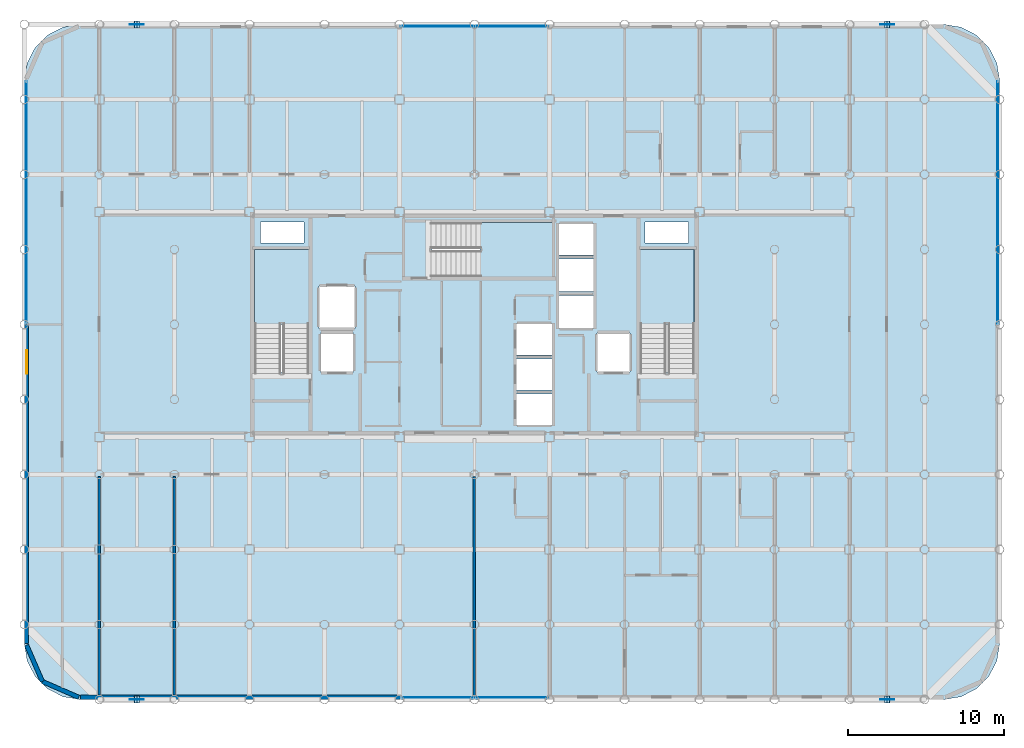
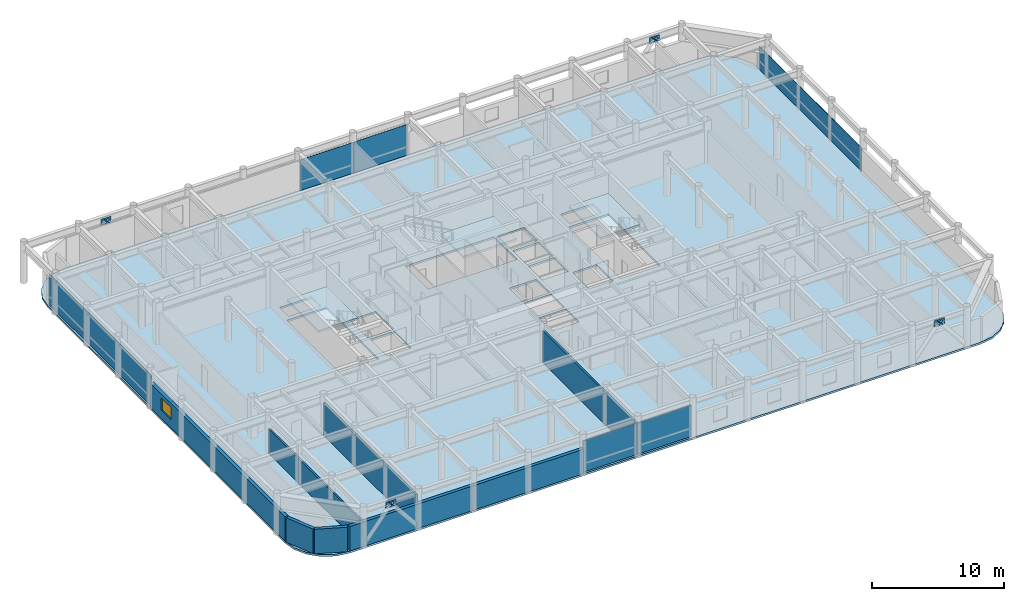
# One storey, part 16 of 21: 18 plates, 7 walls, 4 slabs, 1 window, 1 opening, 7 elements without a shape of their own.
"""IFC4 building model written with IfcOpenShell, lengths in metres."""

from ifc_helpers import new_model, si_unit, direction, frame, frame_2d, origin, origin_2d, place, context, subcontext, project, spatial, polyline, rectangle, outline, extrude, material, layer, layer_set, type_object, element, fill, aggregate, save


model = new_model("IFC4")

# Units and contexts
model_context = context("Model", 3, precision=1e-05, world=origin(), true_north=direction((0.0, 1.0)))
body_context = subcontext(model_context, "Body", "Model", "MODEL_VIEW")
ifc_project = project(units=[si_unit("LENGTHUNIT", "METRE"), si_unit("AREAUNIT", "SQUARE_METRE"), si_unit("VOLUMEUNIT", "CUBIC_METRE"), si_unit("PLANEANGLEUNIT", "RADIAN"), si_unit("MASSUNIT", "GRAM", prefix="KILO")], contexts=[model_context])

# Site, building, storey
site_placement = place(None, origin())
site = spatial("IfcSite", under=ifc_project, at=site_placement, CompositionType="ELEMENT")
building_placement = place(site_placement, origin())
building = spatial("IfcBuilding", under=site, at=building_placement, Name="Kallvorn Hotel Tower", CompositionType="ELEMENT")
storey_placement = place(building_placement, frame((0.0, 0.0, 210.75)))
storey = spatial("IfcBuildingStorey", under=building, at=storey_placement, Name="L52", CompositionType="ELEMENT", Elevation=210.75)

# Curtain wall, plates
ifc_material_1 = material(Name="Thermally broken black-anodised aluminium AA 6063-T6", Category="aluminium")
ifc_layer_1 = layer(ifc_material_1, 0.22998046875)
ifc_layer_set_1 = layer_set([ifc_layer_1], Name="CW_SYS_5_HOTEL_HIGH")
curtain_wall_type = type_object("IfcCurtainWallType", Name="CW_SYS_5_HOTEL_HIGH", PredefinedType="USERDEFINED", material=ifc_layer_set_1)
curtain_wall_1_placement = place(storey_placement, origin())
curtain_wall_1 = element("IfcCurtainWall", 1, at=curtain_wall_1_placement, inside=storey, type_object=curtain_wall_type, Name="L52 Dark-Glass Curtain Wall CW-L52-SC", ObjectType="UNITISED CURTAIN WALL", PredefinedType="USERDEFINED")
ifc_material_2 = material(Name="Triple-glazed low-e acoustic solar-control dark glass", Category="glass")
ifc_layer_2 = layer(ifc_material_2, 0.04150390625)
ifc_layer_set_2 = layer_set([ifc_layer_2], Name="CW_SYS_5_HOTEL_HIGH_PANEL")
plate_type_1 = type_object("IfcPlateType", Name="CW_SYS_5_HOTEL_HIGH_PANEL", PredefinedType="CURTAIN_PANEL", material=ifc_layer_set_2)
plate_1_placement = place(storey_placement, frame((-2.375, -23.8798828125, 0.06005859375), z_axis=(0.0, 0.0, 1.0), x_axis=(1.0, 0.0, 0.0)))
plate_1 = element("IfcPlate", 2, at=plate_1_placement, type_object=plate_type_1, Name="CW-L52-SC Vision Glass Panel 00", PredefinedType="CURTAIN_PANEL", context=body_context, shape_type="SweptSolid", body=[
    extrude(rectangle(XDim=4.68994140625, YDim=0.04150390625, at=origin_2d()), origin(), (0.0, 0.0, 1.0), 2.89990234375),
])
plate_2_placement = place(storey_placement, frame((2.375, -23.8798828125, 0.06005859375), z_axis=(0.0, 0.0, 1.0), x_axis=(1.0, 0.0, 0.0)))
plate_2 = element("IfcPlate", 3, at=plate_2_placement, type_object=plate_type_1, Name="CW-L52-SC Vision Glass Panel 01", PredefinedType="CURTAIN_PANEL", context=body_context, shape_type="SweptSolid", body=[
    extrude(rectangle(XDim=4.68994140625, YDim=0.04150390625, at=origin_2d()), origin(), (0.0, 0.0, 1.0), 2.89990234375),
])
aggregate(curtain_wall_1, [plate_1, plate_2])

curtain_wall_2_placement = place(storey_placement, origin())
curtain_wall_2 = element("IfcCurtainWall", 4, at=curtain_wall_2_placement, inside=storey, type_object=curtain_wall_type, Name="L52 Dark-Glass Curtain Wall CW-L52-NC", ObjectType="UNITISED CURTAIN WALL", PredefinedType="USERDEFINED")
plate_3_placement = place(storey_placement, frame((-2.375, 19.080078125, 0.06005859375), z_axis=(0.0, 0.0, 1.0), x_axis=(1.0, 0.0, 0.0)))
plate_3 = element("IfcPlate", 5, at=plate_3_placement, type_object=plate_type_1, Name="CW-L52-NC Vision Glass Panel 00", PredefinedType="CURTAIN_PANEL", context=body_context, shape_type="SweptSolid", body=[
    extrude(rectangle(XDim=4.68994140625, YDim=0.04150390625, at=origin_2d()), origin(), (0.0, 0.0, 1.0), 2.85009765625),
])
plate_4_placement = place(storey_placement, frame((2.375, 19.080078125, 0.06005859375), z_axis=(0.0, 0.0, 1.0), x_axis=(1.0, 0.0, 0.0)))
plate_4 = element("IfcPlate", 6, at=plate_4_placement, type_object=plate_type_1, Name="CW-L52-NC Vision Glass Panel 01", PredefinedType="CURTAIN_PANEL", context=body_context, shape_type="SweptSolid", body=[
    extrude(rectangle(XDim=4.68994140625, YDim=0.04150390625, at=origin_2d()), origin(), (0.0, 0.0, 1.0), 2.85009765625),
])
aggregate(curtain_wall_2, [plate_3, plate_4])

# Curtain wall, plate
curtain_wall_3_placement = place(storey_placement, origin())
curtain_wall_3 = element("IfcCurtainWall", 7, at=curtain_wall_3_placement, inside=storey, type_object=curtain_wall_type, Name="L52 Dark-Glass Curtain Wall CW-L52-WN", ObjectType="UNITISED CURTAIN WALL", PredefinedType="USERDEFINED")
plate_5_placement = place(storey_placement, frame((-28.679931640625, 7.81005859375, 0.06005859375), z_axis=(0.0, 0.0, 1.0), x_axis=(0.0, 1.0, 0.0)))
plate_5 = element("IfcPlate", 8, at=plate_5_placement, type_object=plate_type_1, Name="CW-L52-WN Vision Glass Panel 00", PredefinedType="CURTAIN_PANEL", context=body_context, shape_type="SweptSolid", body=[
    extrude(rectangle(XDim=15.52001953125, YDim=0.04150390625, at=origin_2d()), origin(), (0.0, 0.0, 1.0), 2.85009765625),
])
aggregate(curtain_wall_3, [plate_5])

curtain_wall_4_placement = place(storey_placement, origin())
curtain_wall_4 = element("IfcCurtainWall", 9, at=curtain_wall_4_placement, inside=storey, type_object=curtain_wall_type, Name="L52 Dark-Glass Curtain Wall CW-L52-EN", ObjectType="UNITISED CURTAIN WALL", PredefinedType="USERDEFINED")
plate_6_placement = place(storey_placement, frame((33.47998046875, 7.81005859375, 0.06005859375), z_axis=(0.0, 0.0, 1.0), x_axis=(0.0, 1.0, 0.0)))
plate_6 = element("IfcPlate", 10, at=plate_6_placement, type_object=plate_type_1, Name="CW-L52-EN Vision Glass Panel 00", PredefinedType="CURTAIN_PANEL", context=body_context, shape_type="SweptSolid", body=[
    extrude(rectangle(XDim=15.52001953125, YDim=0.04150390625, at=origin_2d()), origin(), (0.0, 0.0, 1.0), 2.14990234375),
])
aggregate(curtain_wall_4, [plate_6])

# Plates
ifc_material_3 = material(Name="Structural steel S355JR", Category="steel")
ifc_layer_3 = layer(ifc_material_3, 0.030029296875)
ifc_layer_set_3 = layer_set([ifc_layer_3], Name="PLT_CAP_30")
plate_type_2 = type_object("IfcPlateType", Name="PLT_CAP_30", PredefinedType="SHEET", material=ifc_layer_set_3)
for number, where, z_axis, x_axis, name in (
    (11, (-21.424072265625, -24.2177734375, 3.031005859375), (0.627697677331, 0.0, 0.778457208762), (0.0, 1.0, 0.0), "EXO-L52-S1A End Cap Plate B"),
    (12, (-21.77587890625, -23.7822265625, 3.031005859375), (-0.627697677331, 0.0, 0.778457208762), (0.0, -1.0, 0.0), "EXO-L52-S1B End Cap Plate B"),
    (13, (26.575927734375, -24.2177734375, 3.031005859375), (0.627697677331, 0.0, 0.778457208762), (0.0, 1.0, 0.0), "EXO-L52-S2A End Cap Plate B"),
    (14, (26.22412109375, -23.7822265625, 3.031005859375), (-0.627697677331, 0.0, 0.778457208762), (0.0, -1.0, 0.0), "EXO-L52-S2B End Cap Plate B"),
    (15, (-21.424072265625, 18.982177734375, 3.031005859375), (0.627697677331, 0.0, 0.778457208762), (0.0, 1.0, 0.0), "EXO-L52-N1A End Cap Plate B"),
    (16, (-21.77587890625, 19.417724609375, 3.031005859375), (-0.627697677331, 0.0, 0.778457208762), (0.0, -1.0, 0.0), "EXO-L52-N1B End Cap Plate B"),
    (17, (26.575927734375, 18.982177734375, 3.031005859375), (0.627697677331, 0.0, 0.778457208762), (0.0, 1.0, 0.0), "EXO-L52-N2A End Cap Plate B"),
    (18, (26.22412109375, 19.417724609375, 3.031005859375), (-0.627697677331, 0.0, 0.778457208762), (0.0, -1.0, 0.0), "EXO-L52-N2B End Cap Plate B"),
):
    element("IfcPlate", number, at=place(storey_placement, frame(where, z_axis=z_axis, x_axis=x_axis)), inside=storey, type_object=plate_type_2, Name=name, PredefinedType="SHEET", context=body_context, shape_type="SweptSolid", body=[
        extrude(outline(polyline([(0.0, 0.0), (0.435546875, 0.0), (0.435546875, 0.43561974159690164), (0.0, 0.43561974159690164), (0.0, 0.0)])), origin(), (0.0, 0.0, -1.0), 0.030029296875),
    ])
ifc_material_4 = material(Name="Structural steel S355JR", Category="steel")
ifc_layer_4 = layer(ifc_material_4, 0.034912109375)
ifc_layer_set_4 = layer_set([ifc_layer_4], Name="PLT_GUSSET_35")
plate_type_3 = type_object("IfcPlateType", Name="PLT_GUSSET_35", PredefinedType="USERDEFINED", material=ifc_layer_set_4)
for number, where, z_axis, x_axis, name in (
    (19, (-21.60009765625, -24.0, 2.840087890625), (0.0, 0.0, 1.0), (1.0, 0.0, 0.0), "L52 Exoskeleton Node Gusset S1"),
    (20, (26.39990234375, -24.0, 2.840087890625), (0.0, 0.0, 1.0), (1.0, 0.0, 0.0), "L52 Exoskeleton Node Gusset S2"),
    (21, (-21.60009765625, 19.199951171875, 2.840087890625), (0.0, 0.0, 1.0), (1.0, 0.0, 0.0), "L52 Exoskeleton Node Gusset N1"),
    (22, (26.39990234375, 19.199951171875, 2.840087890625), (0.0, 0.0, 1.0), (1.0, 0.0, 0.0), "L52 Exoskeleton Node Gusset N2"),
):
    element("IfcPlate", number, at=place(storey_placement, frame(where, z_axis=z_axis, x_axis=x_axis)), inside=storey, type_object=plate_type_3, Name=name, ObjectType="GUSSET PLATE", PredefinedType="USERDEFINED", context=body_context, shape_type="SweptSolid", body=[
        extrude(rectangle(XDim=0.89990234375, YDim=0.034912109375, at=origin_2d()), origin(), (0.0, 0.0, 1.0), 0.56005859375),
    ])

# Stair, slab
ifc_material_5 = material(Name="Precast concrete C40/50", Category="concrete")
stair_type = type_object("IfcStairType", Name="STR_CORE_DOGLEG", PredefinedType="HALF_TURN_STAIR", material=ifc_material_5)
stair_1_placement = place(storey_placement, origin())
stair_1 = element("IfcStair", 23, at=stair_1_placement, inside=storey, type_object=stair_type, Name="L52 Exit stair ST1", PredefinedType="HALF_TURN_STAIR")
ifc_material_6 = material(Name="Precast concrete C40/50", Category="concrete")
ifc_layer_5 = layer(ifc_material_6, 0.179931640625)
ifc_layer_set_5 = layer_set([ifc_layer_5], Name="SLB_LANDING_180")
slab_type_1 = type_object("IfcSlabType", Name="SLB_LANDING_180", PredefinedType="LANDING", material=ifc_layer_set_5)
slab_1_placement = place(storey_placement, frame((0.0, 0.0, 1.72509765625)))
slab_1 = element("IfcSlab", 24, at=slab_1_placement, type_object=slab_type_1, Name="ST1 landing 1", PredefinedType="LANDING", context=body_context, shape_type="SweptSolid", body=[
    extrude(outline(polyline([(-10.60009765625, 0.010009765625), (-10.60009765625, 4.800048828125), (-14.06005859375, 4.800048828125), (-14.06005859375, 0.010009765625), (-10.60009765625, 0.010009765625)])), origin(), (0.0, 0.0, 1.0), 0.199951171875),
])
aggregate(stair_1, [slab_1])

stair_2_placement = place(storey_placement, origin())
stair_2 = element("IfcStair", 25, at=stair_2_placement, inside=storey, type_object=stair_type, Name="L52 Exit stair ST2", PredefinedType="HALF_TURN_STAIR")
slab_2_placement = place(storey_placement, frame((0.0, 0.0, 1.72509765625)))
slab_2 = element("IfcSlab", 26, at=slab_2_placement, type_object=slab_type_1, Name="ST2 landing 1", PredefinedType="LANDING", context=body_context, shape_type="SweptSolid", body=[
    extrude(outline(polyline([(14.06005859375, 0.010009765625), (14.06005859375, 4.800048828125), (10.60009765625, 4.800048828125), (10.60009765625, 0.010009765625), (14.06005859375, 0.010009765625)])), origin(), (0.0, 0.0, 1.0), 0.199951171875),
])
aggregate(stair_2, [slab_2])

stair_3_placement = place(storey_placement, origin())
stair_3 = element("IfcStair", 27, at=stair_3_placement, inside=storey, type_object=stair_type, Name="L52 Exit stair ST3", PredefinedType="HALF_TURN_STAIR")
slab_3_placement = place(storey_placement, frame((0.0, 0.0, 1.72509765625)))
slab_3 = element("IfcSlab", 28, at=slab_3_placement, type_object=slab_type_1, Name="ST3 landing 1", PredefinedType="LANDING", context=body_context, shape_type="SweptSolid", body=[
    extrude(outline(polyline([(0.360107421875, 3.050048828125), (5.050048828125, 3.050048828125), (5.050048828125, 6.510009765625), (0.360107421875, 6.510009765625), (0.360107421875, 3.050048828125)])), origin(), (0.0, 0.0, 1.0), 0.199951171875),
])
aggregate(stair_3, [slab_3])

# Slab
ifc_material_7 = material(Name="Concrete C40/50", Category="concrete")
ifc_layer_6 = layer(ifc_material_7, 0.179931640625)
ifc_layer_set_6 = layer_set([ifc_layer_6], Name="SLB_TOWER_180")
slab_type_2 = type_object("IfcSlabType", Name="SLB_TOWER_180", PredefinedType="FLOOR", material=ifc_layer_set_6)
slab_4_placement = place(storey_placement, frame((0.0, 0.0, -0.179931640625)))
element("IfcSlab", 29, at=slab_4_placement, inside=storey, type_object=slab_type_2, Name="L52 Structural Floor Slab", PredefinedType="FLOOR", context=body_context, shape_type="SweptSolid", body=[
    extrude(outline(polyline([(30.0, -24.0), (31.112548828125, -23.82373046875), (32.115966796875, -23.3125), (32.91259765625, -22.51611328125), (33.423828125, -21.512451171875), (33.60009765625, -20.39990234375), (33.60009765625, 15.60009765625), (33.423828125, 16.71240234375), (32.91259765625, 17.716064453125), (32.115966796875, 18.512451171875), (31.112548828125, 19.023681640625), (30.0, 19.199951171875), (-25.199951171875, 19.199951171875), (-26.3125, 19.023681640625), (-27.31591796875, 18.512451171875), (-28.112548828125, 17.716064453125), (-28.623779296875, 16.71240234375), (-28.800048828125, 15.60009765625), (-28.800048828125, -20.39990234375), (-28.623779296875, -21.512451171875), (-28.112548828125, -22.51611328125), (-27.31591796875, -23.3125), (-26.3125, -23.82373046875), (-25.199951171875, -24.0), (30.0, -24.0)]), holes=[polyline([(-10.60009765625, -3.070068359375), (-10.60009765625, 4.800048828125), (-14.06005859375, 4.800048828125), (-14.06005859375, -3.070068359375), (-10.60009765625, -3.070068359375)]), polyline([(14.06005859375, -3.070068359375), (14.06005859375, 4.800048828125), (10.60009765625, 4.800048828125), (10.60009765625, -3.070068359375), (14.06005859375, -3.070068359375)]), polyline([(-2.719970703125, 3.050048828125), (5.050048828125, 3.050048828125), (5.050048828125, 6.510009765625), (-2.719970703125, 6.510009765625), (-2.719970703125, 3.050048828125)]), polyline([(2.64990234375, -6.449951171875), (5.0, -6.449951171875), (5.0, -4.449951171875), (2.64990234375, -4.449951171875), (2.64990234375, -6.449951171875)]), polyline([(2.64990234375, -4.199951171875), (5.0, -4.199951171875), (5.0, -2.199951171875), (2.64990234375, -2.199951171875), (2.64990234375, -4.199951171875)]), polyline([(2.64990234375, -1.949951171875), (5.0, -1.949951171875), (5.0, 0.050048828125), (2.64990234375, 0.050048828125), (2.64990234375, -1.949951171875)]), polyline([(5.35009765625, -0.25), (7.64990234375, -0.25), (7.64990234375, 1.85009765625), (5.35009765625, 1.85009765625), (5.35009765625, -0.25)]), polyline([(5.35009765625, 2.10009765625), (7.64990234375, 2.10009765625), (7.64990234375, 4.199951171875), (5.35009765625, 4.199951171875), (5.35009765625, 2.10009765625)]), polyline([(5.35009765625, 4.449951171875), (7.64990234375, 4.449951171875), (7.64990234375, 6.449951171875), (5.35009765625, 6.449951171875), (5.35009765625, 4.449951171875)]), polyline([(-9.85009765625, -3.050048828125), (-7.75, -3.050048828125), (-7.75, -0.550048828125), (-9.85009765625, -0.550048828125), (-9.85009765625, -3.050048828125)]), polyline([(7.85009765625, -3.050048828125), (9.949951171875, -3.050048828125), (9.949951171875, -0.550048828125), (7.85009765625, -0.550048828125), (7.85009765625, -3.050048828125)]), polyline([(-9.949951171875, -0.25), (-7.64990234375, -0.25), (-7.64990234375, 2.449951171875), (-9.949951171875, 2.449951171875), (-9.949951171875, -0.25)]), polyline([(-13.699951171875, 5.199951171875), (-10.89990234375, 5.199951171875), (-10.89990234375, 6.550048828125), (-13.699951171875, 6.550048828125), (-13.699951171875, 5.199951171875)]), polyline([(10.89990234375, 5.199951171875), (13.699951171875, 5.199951171875), (13.699951171875, 6.550048828125), (10.89990234375, 6.550048828125), (10.89990234375, 5.199951171875)])]), origin(), (0.0, 0.0, 1.0), 0.179931640625),
])

# Walls
ifc_material_8 = material(Name="Fire-rated double-layer acoustic gypsum drywall EI 60")
ifc_layer_7 = layer(ifc_material_8, 0.159912109375)
ifc_layer_set_7 = layer_set([ifc_layer_7], Name="WL_DEMISE_160")
wall_type_1 = type_object("IfcWallType", Name="WL_DEMISE_160", PredefinedType="PARTITIONING", material=ifc_layer_set_7)
wall_1_placement = place(storey_placement, frame((0.0, -23.794921875, 0.0), z_axis=(0.0, 0.0, 1.0), x_axis=(0.0, 1.0, 0.0)))
element("IfcWall", 30, at=wall_1_placement, inside=storey, type_object=wall_type_1, Name="L52 Suite 5201 Deluxe King Room Partition", PredefinedType="PARTITIONING", context=body_context, shape_type="SweptSolid", body=[
    extrude(rectangle(XDim=14.074951171875, YDim=0.159912109375, at=frame_2d((7.03759765625, 0.0))), origin(), (0.0, 0.0, 1.0), 2.969970703125),
])
ifc_material_9 = material(Name="Precast basalt-clad insulated concrete wall C40/50", Category="masonry")
ifc_layer_8 = layer(ifc_material_9, 0.280029296875)
ifc_layer_set_8 = layer_set([ifc_layer_8], Name="WL_EXT_LOGGIA_280")
wall_type_2 = type_object("IfcWallType", Name="WL_EXT_LOGGIA_280", PredefinedType="SOLIDWALL", material=ifc_layer_set_8)
wall_2_placement = place(storey_placement, frame((-28.657958984375, -20.520751953125, 0.0), z_axis=(0.0, 0.0, 1.0), x_axis=(0.398792985289, -0.917040977756, 0.0)))
element("IfcWall", 31, at=wall_2_placement, inside=storey, type_object=wall_type_2, Name="L52 Rounded Corner Exterior Wall SW1", PredefinedType="SOLIDWALL", context=body_context, shape_type="SweptSolid", body=[
    extrude(rectangle(XDim=2.536376953125, YDim=0.280029296875, at=frame_2d((1.26806640625, 0.0))), origin(), (0.0, 0.0, 1.0), 2.27001953125),
])
wall_3_placement = place(storey_placement, frame((-27.646484375, -22.8466796875, 0.0), z_axis=(0.0, 0.0, 1.0), x_axis=(0.917060872934, -0.398747232384, 0.0)))
element("IfcWall", 32, at=wall_3_placement, inside=storey, type_object=wall_type_2, Name="L52 Rounded Corner Exterior Wall SW2", PredefinedType="SOLIDWALL", context=body_context, shape_type="SweptSolid", body=[
    extrude(rectangle(XDim=2.5361328125, YDim=0.280029296875, at=frame_2d((1.26806640625, 0.0))), origin(), (0.0, 0.0, 1.0), 2.27001953125),
])
wall_4_placement = place(storey_placement, frame((-25.199951171875, -23.860107421875, 0.0), z_axis=(0.0, 0.0, 1.0), x_axis=(1.0, 0.0, 0.0)))
element("IfcWall", 33, at=wall_4_placement, inside=storey, type_object=wall_type_2, Name="L52 Exterior Envelope Wall EW-L52-SW", PredefinedType="SOLIDWALL", context=body_context, shape_type="SweptSolid", body=[
    extrude(rectangle(XDim=20.449951171875, YDim=0.280029296875, at=frame_2d((10.22509765625, 0.0))), origin(), (0.0, 0.0, 1.0), 2.27001953125),
])

# Wall, opening, window
wall_5_placement = place(storey_placement, frame((-28.659912109375, -20.39990234375, 0.0), z_axis=(0.0, 0.0, 1.0), x_axis=(0.0, 1.0, 0.0)))
wall_5 = element("IfcWall", 34, at=wall_5_placement, inside=storey, type_object=wall_type_2, Name="L52 Exterior Envelope Wall EW-L52-WS", PredefinedType="SOLIDWALL", context=body_context, shape_type="SweptSolid", body=[
    extrude(rectangle(XDim=20.3798828125, YDim=0.280029296875, at=frame_2d((10.18994140625, 0.0))), origin(), (0.0, 0.0, 1.0), 2.27001953125),
])
opening_placement = place(wall_5_placement, frame((17.25, 0.0, 0.75)))
opening = element("IfcOpeningElement", 35, at=opening_placement, cuts=wall_5, Name="Opening W05A", PredefinedType="OPENING", context=body_context, shape_type="SweptSolid", body=[
    extrude(rectangle(XDim=1.5, YDim=1.14990234375, at=frame_2d((0.75, 0.574951171875))), frame((0.0, 0.155029296875, 0.0), z_axis=(0.0, -1.0, 0.0), x_axis=(1.0, 0.0, 0.0)), (0.0, 0.0, 1.0), 0.31005859375),
])
ifc_material_10 = material(Name="Double-glazed low-e solar-control dark glass", Category="glass")
window_type = type_object("IfcWindowType", Name="WN_HTL_1500x1150", PartitioningType="SINGLE_PANEL", PredefinedType="WINDOW", material=ifc_material_10)
window_placement = place(opening_placement, origin())
window = element("IfcWindow", 36, at=window_placement, inside=storey, type_object=window_type, Name="L52 Flank Wing Window 03", OverallHeight=1.14990234375, OverallWidth=1.5, PartitioningType="SINGLE_PANEL", PredefinedType="WINDOW", context=body_context, shape_type="SweptSolid", body=[
    extrude(rectangle(XDim=1.5, YDim=1.14990234375, at=frame_2d((0.75, 0.574951171875))), frame((0.0, 0.030029296875, 0.0), z_axis=(0.0, -1.0, 0.0), x_axis=(1.0, 0.0, 0.0)), (0.0, 0.0, 1.0), 0.06005859375),
])
fill(opening, window)

# Walls
ifc_material_11 = material(Name="Fire-rated double-layer acoustic gypsum drywall EI 60")
ifc_layer_9 = layer(ifc_material_11, 0.14990234375)
ifc_layer_set_9 = layer_set([ifc_layer_9], Name="WL_PART_150")
wall_type_3 = type_object("IfcWallType", Name="WL_PART_150", PredefinedType="PARTITIONING", material=ifc_layer_set_9)
wall_6_placement = place(storey_placement, frame((-24.0, -23.7099609375, 0.0), z_axis=(0.0, 0.0, 1.0), x_axis=(0.0, 1.0, 0.0)))
element("IfcWall", 37, at=wall_6_placement, inside=storey, type_object=wall_type_3, Name="L52 L52 High-Zone South-West Tea Bar Partition", PredefinedType="PARTITIONING", context=body_context, shape_type="SweptSolid", body=[
    extrude(rectangle(XDim=13.989990234375, YDim=0.14990234375, at=frame_2d((6.9951171875, 0.0))), origin(), (0.0, 0.0, 1.0), 2.27001953125),
])
wall_7_placement = place(storey_placement, frame((-19.199951171875, -23.7099609375, 0.0), z_axis=(0.0, 0.0, 1.0), x_axis=(0.0, 1.0, 0.0)))
element("IfcWall", 38, at=wall_7_placement, inside=storey, type_object=wall_type_3, Name="L52 L52 Executive Co-Working Open-Plan Office 1 Partition", PredefinedType="PARTITIONING", context=body_context, shape_type="SweptSolid", body=[
    extrude(rectangle(XDim=13.989990234375, YDim=0.14990234375, at=frame_2d((6.9951171875, 0.0))), origin(), (0.0, 0.0, 1.0), 2.969970703125),
])

save(model, "model.ifc")
